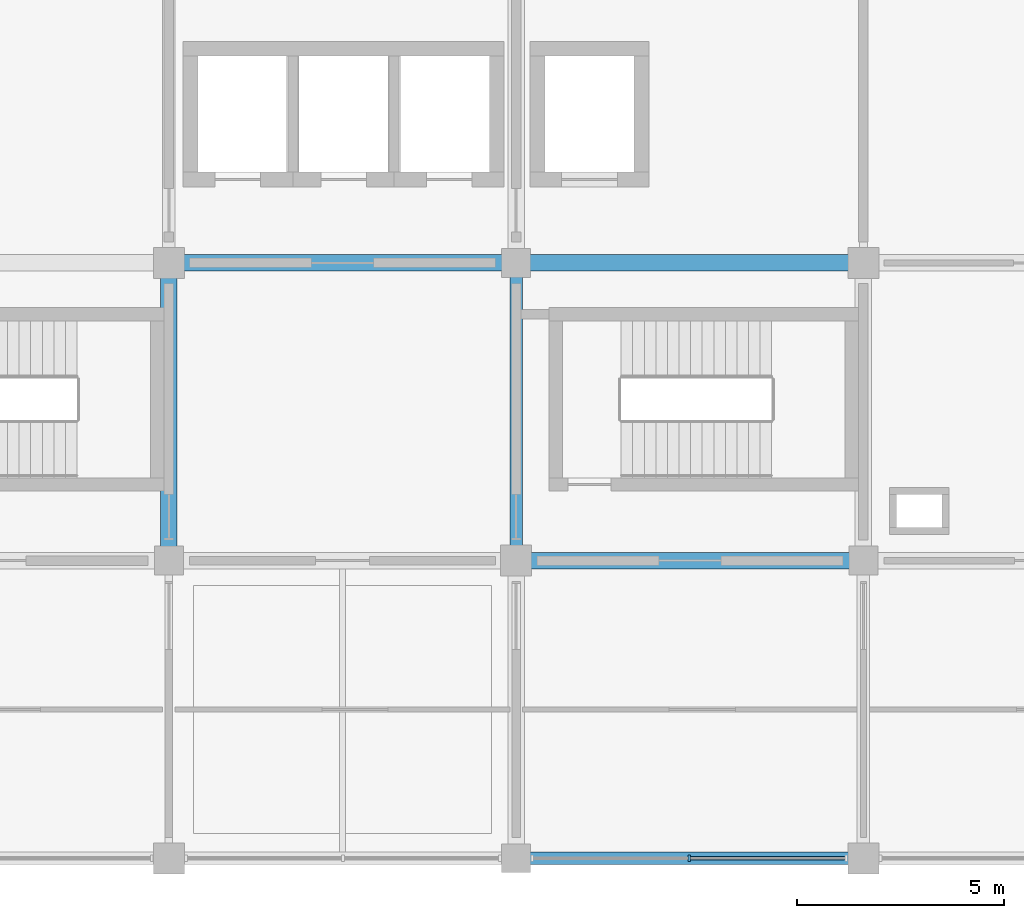
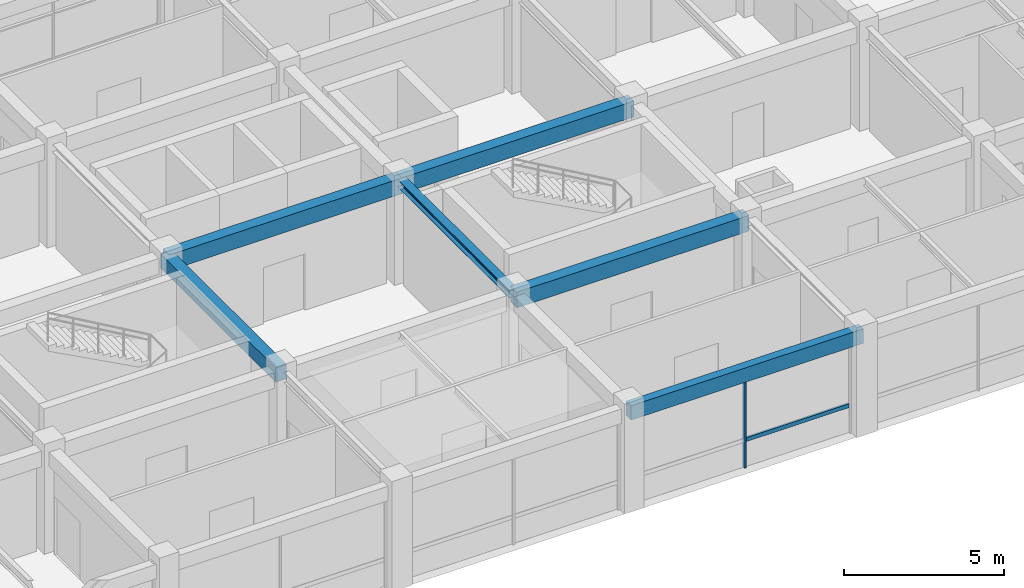
# One storey, part 3 of 13: 6 beams, 2 members, 1 element without a shape of its own.
"""IFC4 building model written with IfcOpenShell, lengths in metres."""

from ifc_helpers import new_model, si_unit, derived_unit, direction, frame, origin, origin_2d, place, context, subcontext, project, spatial, rectangle, i_section, extrude, material, material_profile, profile_set, type_object, element, aggregate, save


model = new_model("IFC4")

# Units and contexts
model_context = context("Model", 3, precision=1e-05, world=origin(), true_north=direction((0.0, 1.0)))
body_context = subcontext(model_context, "Body", "Model", "MODEL_VIEW")
ifc_project = project(units=[si_unit("LENGTHUNIT", "METRE"), si_unit("AREAUNIT", "SQUARE_METRE"), si_unit("VOLUMEUNIT", "CUBIC_METRE"), si_unit("PLANEANGLEUNIT", "RADIAN"), si_unit("MASSUNIT", "GRAM", prefix="KILO"), derived_unit("THERMALTRANSMITTANCEUNIT", [(si_unit("MASSUNIT", "GRAM", prefix="KILO"), 1), (si_unit("TIMEUNIT", "SECOND"), -3), (si_unit("THERMODYNAMICTEMPERATUREUNIT", "KELVIN"), -1)])], contexts=[model_context])

# Site, building, storey
site_placement = place(None, origin())
site = spatial("IfcSite", under=ifc_project, at=site_placement, CompositionType="ELEMENT")
building_placement = place(site_placement, origin())
building = spatial("IfcBuilding", under=site, at=building_placement, Name="Veldstrom Oceanarium and Marine Research Institute", CompositionType="ELEMENT")
storey_placement = place(building_placement, frame((0.0, 0.0, 39.60009765625)))
storey = spatial("IfcBuildingStorey", under=building, at=storey_placement, Name="L08", CompositionType="ELEMENT", Elevation=39.60009765625)

# Curtain wall, members
ifc_material_1 = material(Name="Anodised Aluminium Framing", Category="aluminium")
curtain_wall_type = type_object("IfcCurtainWallType", Name="ARC-CW-CW04", PredefinedType="USERDEFINED", material=ifc_material_1)
curtain_wall_placement = place(storey_placement, origin())
curtain_wall = element("IfcCurtainWall", 1, at=curtain_wall_placement, inside=storey, type_object=curtain_wall_type, Name="Curtain Wall CW04 CW-L08-128", ObjectType="Curtain wall", PredefinedType="USERDEFINED")
ifc_material_2 = material(Name="Anodised Aluminium Framing", Category="aluminium")
ifc_material_profile_1 = material_profile(ifc_material_2, rectangle(XDim=0.06494140625, YDim=0.14990234375, at=origin_2d()), Name="ALU-MUL-65x150")
ifc_profile_set_1 = profile_set([ifc_material_profile_1], Name="Anodised Aluminium Framing")
member_type_1 = type_object("IfcMemberType", Name="ARC-MUL-ML2", PredefinedType="MULLION", material=ifc_profile_set_1)
member_1_placement = place(storey_placement, frame((96.58740234375, 43.199951171875, 0.0), z_axis=(0.0, 0.0, 1.0), x_axis=(1.0, 0.0, 0.0)))
member_1 = element("IfcMember", 2, at=member_1_placement, type_object=member_type_1, Name="Curtain Wall Mullion CW-L08-128-MUL-2", PredefinedType="MULLION", context=body_context, shape_type="SweptSolid", body=[
    extrude(rectangle(XDim=0.06494140625, YDim=0.14990234375, at=origin_2d()), origin(), (0.0, 0.0, 1.0), 3.849853515625),
])
ifc_material_3 = material(Name="Anodised Aluminium Framing", Category="aluminium")
ifc_material_profile_2 = material_profile(ifc_material_3, rectangle(XDim=0.074951171875, YDim=0.14990234375, at=origin_2d()), Name="ALU-TRN-75x150")
ifc_profile_set_2 = profile_set([ifc_material_profile_2], Name="Anodised Aluminium Framing")
member_type_2 = type_object("IfcMemberType", Name="ARC-TRN-TR1", PredefinedType="USERDEFINED", material=ifc_profile_set_2)
member_2_placement = place(storey_placement, frame((96.62744140625, 43.199951171875, 1.0498046875), z_axis=(1.0, 0.0, 0.0), x_axis=(0.0, 1.0, 0.0)))
member_2 = element("IfcMember", 3, at=member_2_placement, type_object=member_type_2, Name="Curtain Wall Transom CW-L08-128-TRN-2", ObjectType="Transom", PredefinedType="USERDEFINED", context=body_context, shape_type="SweptSolid", body=[
    extrude(rectangle(XDim=0.074951171875, YDim=0.14990234375, at=origin_2d()), origin(), (0.0, 0.0, 1.0), 3.717529296875),
])
aggregate(curtain_wall, [member_1, member_2])

# Beams
ifc_material_4 = material(Name="Concrete C40/50", Category="concrete")
ifc_material_profile_3 = material_profile(ifc_material_4, rectangle(XDim=0.39990234375, YDim=0.60009765625, at=origin_2d()), Name="RC-BM-400x600")
ifc_profile_set_3 = profile_set([ifc_material_profile_3], Name="Concrete C40/50")
beam_type_1 = type_object("IfcBeamType", Name="STR-BM-B06", PredefinedType="BEAM", material=ifc_profile_set_3)
beam_1_placement = place(storey_placement, frame((84.0, 57.60009765625, 3.594970703125), z_axis=(1.0, 0.0, 0.0), x_axis=(0.0, 1.0, 0.0)))
element("IfcBeam", 4, at=beam_1_placement, inside=storey, type_object=beam_type_1, Name="Primary Beam B06 L08-2420", PredefinedType="BEAM", context=body_context, shape_type="SweptSolid", body=[
    extrude(rectangle(XDim=0.39990234375, YDim=0.60009765625, at=origin_2d()), origin(), (0.0, 0.0, 1.0), 8.39990234375),
])
for number, where, z_axis, x_axis, name in (
    (5, (92.39990234375, 50.39990234375, 3.594970703125), (1.0, 0.0, 0.0), (0.0, 1.0, 0.0), "Primary Beam B06 L08-2424"),
    (6, (92.39990234375, 57.60009765625, 3.594970703125), (1.0, 0.0, 0.0), (0.0, 1.0, 0.0), "Primary Beam B06 L08-2425"),
):
    element("IfcBeam", number, at=place(storey_placement, frame(where, z_axis=z_axis, x_axis=x_axis)), inside=storey, type_object=beam_type_1, Name=name, PredefinedType="BEAM", context=body_context, shape_type="SweptSolid", body=[
        extrude(rectangle(XDim=0.39990234375, YDim=0.60009765625, at=origin_2d()), origin(), (0.0, 0.0, 1.0), 8.400146484375),
    ])
ifc_material_5 = material(Name="Concrete C40/50", Category="concrete")
ifc_material_profile_4 = material_profile(ifc_material_5, rectangle(XDim=0.39990234375, YDim=0.550048828125, at=origin_2d()), Name="RC-BM-400x550")
ifc_profile_set_4 = profile_set([ifc_material_profile_4], Name="Concrete C40/50")
beam_type_2 = type_object("IfcBeamType", Name="STR-BM-B07", PredefinedType="BEAM", material=ifc_profile_set_4)
beam_2_placement = place(storey_placement, frame((84.0, 50.39990234375, 3.619873046875), z_axis=(0.0, 1.0, 0.0), x_axis=(-1.0, 0.0, 0.0)))
element("IfcBeam", 7, at=beam_2_placement, inside=storey, type_object=beam_type_2, Name="Primary Beam B07 L08-2446", PredefinedType="BEAM", context=body_context, shape_type="SweptSolid", body=[
    extrude(rectangle(XDim=0.39990234375, YDim=0.550048828125, at=origin_2d()), origin(), (0.0, 0.0, 1.0), 7.2001953125),
])
ifc_material_6 = material(Name="Steel S355JR", Category="steel")
ifc_material_profile_5 = material_profile(ifc_material_6, i_section(OverallWidth=0.300048828125, OverallDepth=0.2900390625, WebThickness=0.008544921875, FlangeThickness=0.013916015625, FilletRadius=0.027099609375, at=origin_2d()), Name="HEA 300")
ifc_profile_set_5 = profile_set([ifc_material_profile_5], Name="Steel S355JR")
beam_type_3 = type_object("IfcBeamType", Name="STR-BM-SB10", PredefinedType="BEAM", material=ifc_profile_set_5)
beam_3_placement = place(storey_placement, frame((92.39990234375, 50.39990234375, 3.75), z_axis=(0.0, 1.0, 0.0), x_axis=(-1.0, 0.0, 0.0)))
element("IfcBeam", 8, at=beam_3_placement, inside=storey, type_object=beam_type_3, Name="Steel Tie Beam SB10 L08-2450", PredefinedType="BEAM", context=body_context, shape_type="SweptSolid", body=[
    extrude(i_section(OverallWidth=0.300048828125, OverallDepth=0.2900390625, WebThickness=0.008544921875, FlangeThickness=0.013916015625, FilletRadius=0.027099609375, at=origin_2d()), origin(), (0.0, 0.0, 1.0), 7.2001953125),
])
ifc_material_7 = material(Name="Concrete C40/50", Category="concrete")
ifc_material_profile_6 = material_profile(ifc_material_7, rectangle(XDim=0.300048828125, YDim=0.550048828125, at=origin_2d()), Name="RC-SPN-300x550")
ifc_profile_set_6 = profile_set([ifc_material_profile_6], Name="Concrete C40/50")
beam_type_4 = type_object("IfcBeamType", Name="STR-SPN-SP2", PredefinedType="SPANDREL", material=ifc_profile_set_6)
beam_4_placement = place(storey_placement, frame((92.39990234375, 43.199951171875, 3.619873046875), z_axis=(1.0, 0.0, 0.0), x_axis=(0.0, 1.0, 0.0)))
element("IfcBeam", 9, at=beam_4_placement, inside=storey, type_object=beam_type_4, Name="Perimeter Spandrel SPB2 L08-2423", PredefinedType="SPANDREL", context=body_context, shape_type="SweptSolid", body=[
    extrude(rectangle(XDim=0.300048828125, YDim=0.550048828125, at=origin_2d()), origin(), (0.0, 0.0, 1.0), 8.400146484375),
])

save(model, "model.ifc")
